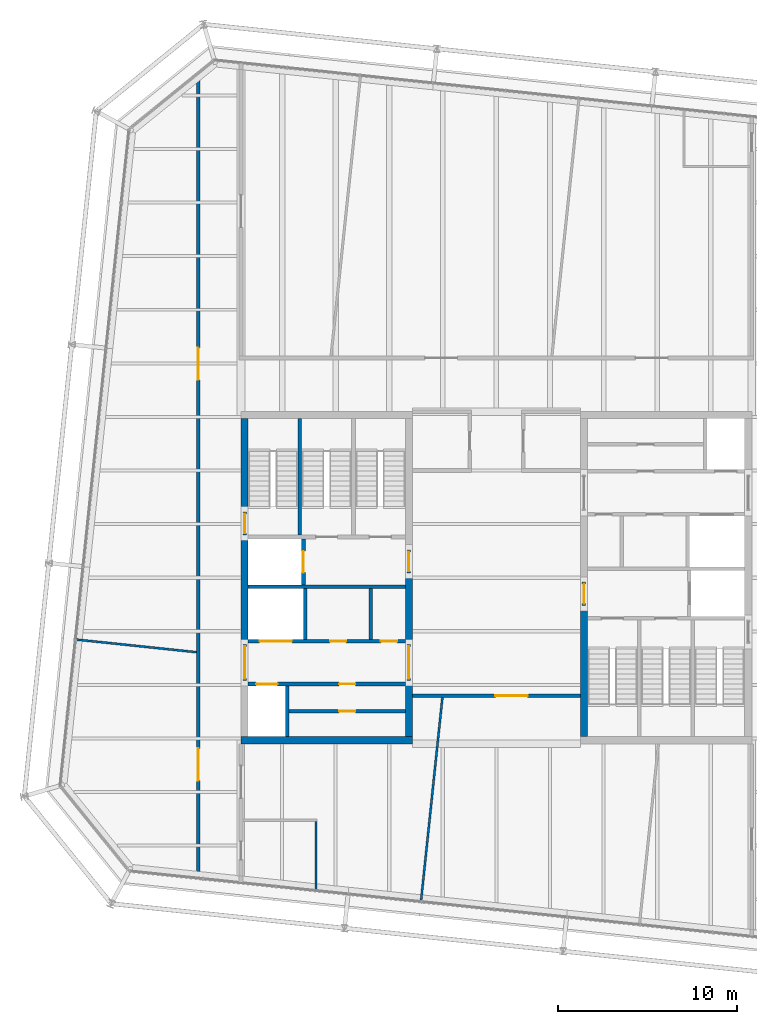
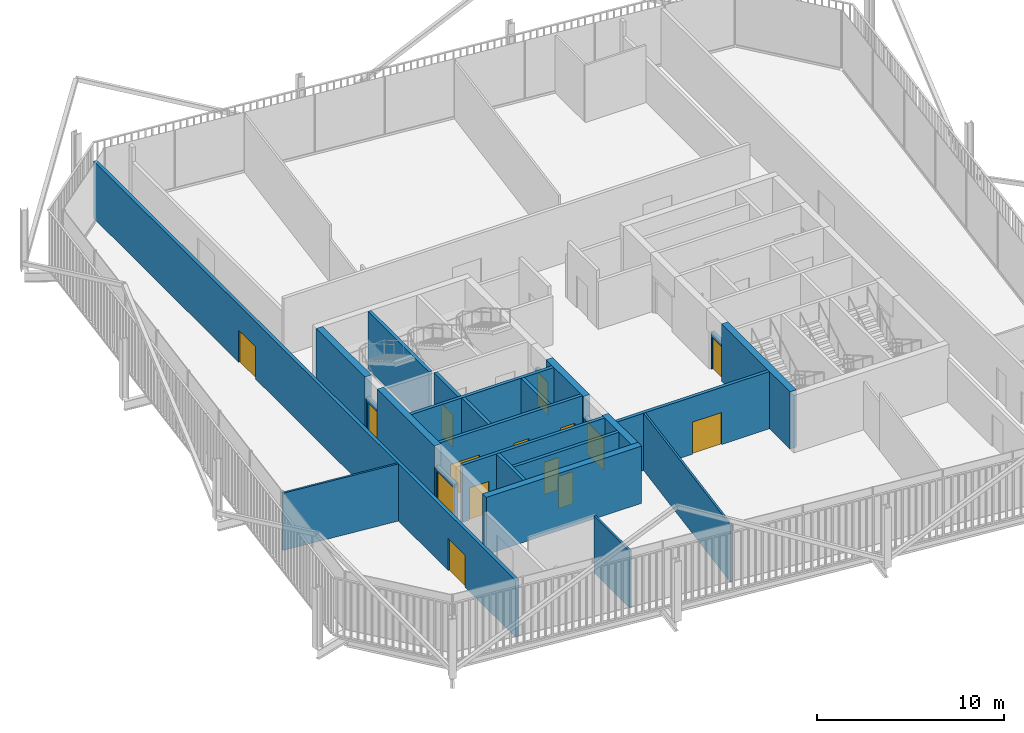
# One storey, part 17 of 21: 25 walls, 15 doors, 15 openings.
"""IFC4 building model written with IfcOpenShell, lengths in metres."""

from ifc_helpers import new_model, si_unit, direction, frame, frame_2d, origin, place, context, subcontext, project, spatial, rectangle, extrude, material, layer, layer_set, type_object, element, fill, save


model = new_model("IFC4")

# Units and contexts
model_context = context("Model", 3, precision=1e-05, world=origin(), true_north=direction((0.0, 1.0)))
body_context = subcontext(model_context, "Body", "Model", "MODEL_VIEW")
ifc_project = project(units=[si_unit("LENGTHUNIT", "METRE"), si_unit("AREAUNIT", "SQUARE_METRE"), si_unit("VOLUMEUNIT", "CUBIC_METRE"), si_unit("PLANEANGLEUNIT", "RADIAN"), si_unit("MASSUNIT", "GRAM", prefix="KILO")], contexts=[model_context])

# Site, building, storey
site_placement = place(None, origin())
site = spatial("IfcSite", under=ifc_project, at=site_placement, CompositionType="ELEMENT")
building_placement = place(site_placement, origin())
building = spatial("IfcBuilding", under=site, at=building_placement, Name="Millrace Tower", CompositionType="ELEMENT")
storey_placement = place(building_placement, frame((0.0, 0.0, 299.39990234375)))
storey = spatial("IfcBuildingStorey", under=building, at=storey_placement, Name="L69", CompositionType="ELEMENT", Elevation=299.39990234375)

# Walls
ifc_material_1 = material(Name="Concrete C60", Category="concrete")
ifc_layer_1 = layer(ifc_material_1, 0.39990234375)
ifc_layer_set_1 = layer_set([ifc_layer_1], Name="Concrete C60")
wall_type_1 = type_object("IfcWallType", Name="Core wall 400 Concrete C60", PredefinedType="SHEAR", material=ifc_layer_set_1)
wall_1_placement = place(storey_placement, frame((-14.300048828125, -9.10009765625, 0.0), z_axis=(0.0, 0.0, 1.0), x_axis=(1.0, 0.0, 0.0)))
element("IfcWall", 1, at=wall_1_placement, inside=storey, type_object=wall_type_1, Name="Core wall W L69", PredefinedType="SHEAR", context=body_context, shape_type="SweptSolid", body=[
    extrude(rectangle(XDim=9.60009765625, YDim=0.39990234375, at=frame_2d((4.800048828125, 0.0))), origin(), (0.0, 0.0, 1.0), 3.739990234375),
])
wall_2_placement = place(storey_placement, frame((-14.10009765625, -3.75, 0.0), z_axis=(0.0, 0.0, 1.0), x_axis=(0.0, 1.0, 0.0)))
element("IfcWall", 2, at=wall_2_placement, inside=storey, type_object=wall_type_1, Name="Core wall W L69", PredefinedType="SHEAR", context=body_context, shape_type="SweptSolid", body=[
    extrude(rectangle(XDim=6.1298828125, YDim=0.39990234375, at=frame_2d((3.06494140625, 0.0))), origin(), (0.0, 0.0, 1.0), 3.739990234375),
])
wall_3_placement = place(storey_placement, frame((-14.10009765625, 3.679931640625, 0.0), z_axis=(0.0, 0.0, 1.0), x_axis=(0.0, 1.0, 0.0)))
element("IfcWall", 3, at=wall_3_placement, inside=storey, type_object=wall_type_1, Name="Core wall W L69", PredefinedType="SHEAR", context=body_context, shape_type="SweptSolid", body=[
    extrude(rectangle(XDim=5.219970703125, YDim=0.39990234375, at=frame_2d((2.60986328125, 0.0))), origin(), (0.0, 0.0, 1.0), 3.739990234375),
])
wall_4_placement = place(storey_placement, frame((-4.89990234375, -8.89990234375, 0.0), z_axis=(0.0, 0.0, 1.0), x_axis=(0.0, 1.0, 0.0)))
element("IfcWall", 4, at=wall_4_placement, inside=storey, type_object=wall_type_1, Name="Core wall W L69", PredefinedType="SHEAR", context=body_context, shape_type="SweptSolid", body=[
    extrude(rectangle(XDim=3.14990234375, YDim=0.39990234375, at=frame_2d((1.574951171875, 0.0))), origin(), (0.0, 0.0, 1.0), 3.739990234375),
])
wall_5_placement = place(storey_placement, frame((-4.89990234375, -3.75, 0.0), z_axis=(0.0, 0.0, 1.0), x_axis=(0.0, 1.0, 0.0)))
element("IfcWall", 5, at=wall_5_placement, inside=storey, type_object=wall_type_1, Name="Core wall W L69", PredefinedType="SHEAR", context=body_context, shape_type="SweptSolid", body=[
    extrude(rectangle(XDim=4.0, YDim=0.39990234375, at=frame_2d((2.0, 0.0))), origin(), (0.0, 0.0, 1.0), 3.739990234375),
])
wall_6_placement = place(storey_placement, frame((4.89990234375, -1.550048828125, 0.0), z_axis=(0.0, 0.0, 1.0), x_axis=(0.0, -1.0, 0.0)))
element("IfcWall", 6, at=wall_6_placement, inside=storey, type_object=wall_type_1, Name="Core wall E L69", PredefinedType="SHEAR", context=body_context, shape_type="SweptSolid", body=[
    extrude(rectangle(XDim=7.349853515625, YDim=0.39990234375, at=frame_2d((3.6748046875, 0.0))), origin(), (0.0, 0.0, 1.0), 3.739990234375),
])

# Wall, opening, door
ifc_material_2 = material(Name="Masonry partition, fire-rated", Category="masonry")
ifc_layer_2 = layer(ifc_material_2, 0.199951171875)
ifc_layer_set_2 = layer_set([ifc_layer_2], Name="Masonry partition, fire-rated")
wall_type_2 = type_object("IfcWallType", Name="Corridor wall 200", PredefinedType="PARTITIONING", material=ifc_layer_set_2)
wall_7_placement = place(storey_placement, frame((-4.699951171875, -6.60009765625, 0.0), z_axis=(0.0, 0.0, 1.0), x_axis=(1.0, 0.0, 0.0)))
wall_7 = element("IfcWall", 7, at=wall_7_placement, inside=storey, type_object=wall_type_2, Name="Corridor wall L69", PredefinedType="PARTITIONING", context=body_context, shape_type="SweptSolid", body=[
    extrude(rectangle(XDim=9.39990234375, YDim=0.199951171875, at=frame_2d((4.699951171875, 0.0))), origin(), (0.0, 0.0, 1.0), 3.739990234375),
])
opening_1_placement = place(wall_7_placement, frame((4.64404296875, 0.0, 0.0)))
opening_1 = element("IfcOpeningElement", 8, at=opening_1_placement, cuts=wall_7, Name="Opening 69-P012", PredefinedType="OPENING", context=body_context, shape_type="SweptSolid", body=[
    extrude(rectangle(XDim=1.800048828125, YDim=2.10009765625, at=frame_2d((0.89990234375, 1.050048828125))), frame((0.0, 0.10986328125, 0.0), z_axis=(0.0, -1.0, 0.0), x_axis=(1.0, 0.0, 0.0)), (0.0, 0.0, 1.0), 0.219970703125),
])
ifc_material_3 = material(Name="Steel door set, fire-rated", Category="steel")
door_type_1 = type_object("IfcDoorType", Name="Corridor door 1800 x 2100", OperationType="DOUBLE_DOOR_SINGLE_SWING", PredefinedType="DOOR", material=ifc_material_3)
door_1_placement = place(opening_1_placement, frame((1.800048828125, 0.0, 0.0), z_axis=(0.0, 0.0, 1.0), x_axis=(-1.0, 0.0, 0.0)))
door_1 = element("IfcDoor", 9, at=door_1_placement, inside=storey, type_object=door_type_1, Name="Door 69-P012", OperationType="DOUBLE_DOOR_SINGLE_SWING", OverallHeight=2.10009765625, OverallWidth=1.800048828125, PredefinedType="DOOR", context=body_context, shape_type="SweptSolid", body=[
    extrude(rectangle(XDim=1.800048828125, YDim=2.10009765625, at=frame_2d((0.89990234375, 1.050048828125))), frame((0.0, 0.02490234375, 0.0), z_axis=(0.0, -1.0, 0.0), x_axis=(1.0, 0.0, 0.0)), (0.0, 0.0, 1.0), 0.050048828125),
])
fill(opening_1, door_1)

# Wall, openings, doors
wall_8_placement = place(storey_placement, frame((-16.699951171875, -16.779296875, 0.0), z_axis=(0.0, 0.0, 1.0), x_axis=(0.0, 1.0, 0.0)))
wall_8 = element("IfcWall", 10, at=wall_8_placement, inside=storey, type_object=wall_type_2, Name="Corridor wall L69", PredefinedType="PARTITIONING", context=body_context, shape_type="SweptSolid", body=[
    extrude(rectangle(XDim=45.16943359375, YDim=0.199951171875, at=frame_2d((22.584716796875, 0.0))), origin(), (0.0, 0.0, 1.0), 3.739990234375),
])
opening_2_placement = place(wall_8_placement, frame((5.4248046875, 0.0, 0.0)))
opening_2 = element("IfcOpeningElement", 11, at=opening_2_placement, cuts=wall_8, Name="Opening 69-P003", PredefinedType="OPENING", context=body_context, shape_type="SweptSolid", body=[
    extrude(rectangle(XDim=1.800048828125, YDim=2.10009765625, at=frame_2d((0.89990234375, 1.050048828125))), frame((0.0, 0.10986328125, 0.0), z_axis=(0.0, -1.0, 0.0), x_axis=(1.0, 0.0, 0.0)), (0.0, 0.0, 1.0), 0.219970703125),
])
opening_3_placement = place(wall_8_placement, frame((27.852294921875, 0.0, 0.0)))
opening_3 = element("IfcOpeningElement", 12, at=opening_3_placement, cuts=wall_8, Name="Opening 69-P004", PredefinedType="OPENING", context=body_context, shape_type="SweptSolid", body=[
    extrude(rectangle(XDim=1.800048828125, YDim=2.10009765625, at=frame_2d((0.89990234375, 1.050048828125))), frame((0.0, 0.10986328125, 0.0), z_axis=(0.0, -1.0, 0.0), x_axis=(1.0, 0.0, 0.0)), (0.0, 0.0, 1.0), 0.219970703125),
])
door_2_placement = place(opening_2_placement, origin())
door_2 = element("IfcDoor", 13, at=door_2_placement, inside=storey, type_object=door_type_1, Name="Door 69-P003", OperationType="DOUBLE_DOOR_SINGLE_SWING", OverallHeight=2.10009765625, OverallWidth=1.800048828125, PredefinedType="DOOR", context=body_context, shape_type="SweptSolid", body=[
    extrude(rectangle(XDim=1.800048828125, YDim=2.10009765625, at=frame_2d((0.89990234375, 1.050048828125))), frame((0.0, 0.02490234375, 0.0), z_axis=(0.0, -1.0, 0.0), x_axis=(1.0, 0.0, 0.0)), (0.0, 0.0, 1.0), 0.050048828125),
])
fill(opening_2, door_2)
door_3_placement = place(opening_3_placement, frame((1.800048828125, 0.0, 0.0), z_axis=(0.0, 0.0, 1.0), x_axis=(-1.0, 0.0, 0.0)))
door_3 = element("IfcDoor", 14, at=door_3_placement, inside=storey, type_object=door_type_1, Name="Door 69-P004", OperationType="DOUBLE_DOOR_SINGLE_SWING", OverallHeight=2.10009765625, OverallWidth=1.800048828125, PredefinedType="DOOR", context=body_context, shape_type="SweptSolid", body=[
    extrude(rectangle(XDim=1.800048828125, YDim=2.10009765625, at=frame_2d((0.89990234375, 1.050048828125))), frame((0.0, 0.02490234375, 0.0), z_axis=(0.0, -1.0, 0.0), x_axis=(1.0, 0.0, 0.0)), (0.0, 0.0, 1.0), 0.050048828125),
])
fill(opening_3, door_3)

ifc_material_4 = material(Name="Masonry partition, fire-rated", Category="masonry")
ifc_layer_3 = layer(ifc_material_4, 0.199951171875)
ifc_layer_set_3 = layer_set([ifc_layer_3], Name="Masonry partition, fire-rated")
wall_type_3 = type_object("IfcWallType", Name="Lift shaft wall 200", PredefinedType="PARTITIONING", material=ifc_layer_set_3)
wall_9_placement = place(storey_placement, frame((-13.89990234375, -5.949951171875, 0.0), z_axis=(0.0, 0.0, 1.0), x_axis=(1.0, 0.0, 0.0)))
wall_9 = element("IfcWall", 15, at=wall_9_placement, inside=storey, type_object=wall_type_3, Name="Lift shaft wall W L69", PredefinedType="PARTITIONING", context=body_context, shape_type="SweptSolid", body=[
    extrude(rectangle(XDim=8.7998046875, YDim=0.199951171875, at=frame_2d((4.39990234375, 0.0))), origin(), (0.0, 0.0, 1.0), 3.739990234375),
])
opening_4_placement = place(wall_9_placement, frame((0.449951171875, 0.0, 0.0)))
opening_4 = element("IfcOpeningElement", 16, at=opening_4_placement, cuts=wall_9, Name="Opening 69-LD01", PredefinedType="OPENING", context=body_context, shape_type="SweptSolid", body=[
    extrude(rectangle(XDim=1.199951171875, YDim=2.10009765625, at=frame_2d((0.60009765625, 1.050048828125))), frame((0.0, 0.10986328125, 0.0), z_axis=(0.0, -1.0, 0.0), x_axis=(1.0, 0.0, 0.0)), (0.0, 0.0, 1.0), 0.219970703125),
])
opening_5_placement = place(wall_9_placement, frame((5.10009765625, 0.0, 0.0)))
opening_5 = element("IfcOpeningElement", 17, at=opening_5_placement, cuts=wall_9, Name="Opening 69-C005", PredefinedType="OPENING", context=body_context, shape_type="SweptSolid", body=[
    extrude(rectangle(XDim=0.89990234375, YDim=2.10009765625, at=frame_2d((0.449951171875, 1.050048828125))), frame((0.0, 0.10986328125, 0.0), z_axis=(0.0, -1.0, 0.0), x_axis=(1.0, 0.0, 0.0)), (0.0, 0.0, 1.0), 0.219970703125),
])
ifc_material_5 = material(Name="Stainless steel, fire-rated", Category="steel")
door_type_2 = type_object("IfcDoorType", Name="Lift landing door 1200 x 2100", OperationType="DOUBLE_DOOR_SLIDING", PredefinedType="DOOR", material=ifc_material_5)
door_4_placement = place(opening_4_placement, origin())
door_4 = element("IfcDoor", 18, at=door_4_placement, inside=storey, type_object=door_type_2, Name="Lift landing door LF1 L69", OperationType="DOUBLE_DOOR_SLIDING", OverallHeight=2.10009765625, OverallWidth=1.199951171875, PredefinedType="DOOR", context=body_context, shape_type="SweptSolid", body=[
    extrude(rectangle(XDim=1.199951171875, YDim=2.10009765625, at=frame_2d((0.60009765625, 1.050048828125))), frame((0.0, 0.02490234375, 0.0), z_axis=(0.0, -1.0, 0.0), x_axis=(1.0, 0.0, 0.0)), (0.0, 0.0, 1.0), 0.050048828125),
])
fill(opening_4, door_4)
ifc_material_6 = material(Name="Steel door, fire-rated", Category="steel")
door_type_3 = type_object("IfcDoorType", Name="Service room door 900 x 2100", OperationType="SINGLE_SWING_LEFT", PredefinedType="DOOR", material=ifc_material_6)
door_5_placement = place(opening_5_placement, origin())
door_5 = element("IfcDoor", 19, at=door_5_placement, inside=storey, type_object=door_type_3, Name="Service room door 69-C005", OperationType="SINGLE_SWING_RIGHT", OverallHeight=2.10009765625, OverallWidth=0.89990234375, PredefinedType="DOOR", context=body_context, shape_type="SweptSolid", body=[
    extrude(rectangle(XDim=0.89990234375, YDim=2.10009765625, at=frame_2d((0.449951171875, 1.050048828125))), frame((0.0, 0.02490234375, 0.0), z_axis=(0.0, -1.0, 0.0), x_axis=(1.0, 0.0, 0.0)), (0.0, 0.0, 1.0), 0.050048828125),
])
fill(opening_5, door_5)

wall_10_placement = place(storey_placement, frame((-13.89990234375, -3.550048828125, 0.0), z_axis=(0.0, 0.0, 1.0), x_axis=(1.0, 0.0, 0.0)))
wall_10 = element("IfcWall", 20, at=wall_10_placement, inside=storey, type_object=wall_type_3, Name="Lift shaft wall W L69", PredefinedType="PARTITIONING", context=body_context, shape_type="SweptSolid", body=[
    extrude(rectangle(XDim=8.7998046875, YDim=0.199951171875, at=frame_2d((4.39990234375, 0.0))), origin(), (0.0, 0.0, 1.0), 3.739990234375),
])
opening_6_placement = place(wall_10_placement, frame((0.64990234375, 0.0, 0.0)))
opening_6 = element("IfcOpeningElement", 21, at=opening_6_placement, cuts=wall_10, Name="Opening 69-LD05", PredefinedType="OPENING", context=body_context, shape_type="SweptSolid", body=[
    extrude(rectangle(XDim=1.800048828125, YDim=2.10009765625, at=frame_2d((0.89990234375, 1.050048828125))), frame((0.0, 0.10986328125, 0.0), z_axis=(0.0, -1.0, 0.0), x_axis=(1.0, 0.0, 0.0)), (0.0, 0.0, 1.0), 0.219970703125),
])
opening_7_placement = place(wall_10_placement, frame((4.58740234375, 0.0, 0.0)))
opening_7 = element("IfcOpeningElement", 22, at=opening_7_placement, cuts=wall_10, Name="Opening 69-C007", PredefinedType="OPENING", context=body_context, shape_type="SweptSolid", body=[
    extrude(rectangle(XDim=0.89990234375, YDim=2.10009765625, at=frame_2d((0.449951171875, 1.050048828125))), frame((0.0, 0.10986328125, 0.0), z_axis=(0.0, -1.0, 0.0), x_axis=(1.0, 0.0, 0.0)), (0.0, 0.0, 1.0), 0.219970703125),
])
opening_8_placement = place(wall_10_placement, frame((7.4375, 0.0, 0.0)))
opening_8 = element("IfcOpeningElement", 23, at=opening_8_placement, cuts=wall_10, Name="Opening 69-C008", PredefinedType="OPENING", context=body_context, shape_type="SweptSolid", body=[
    extrude(rectangle(XDim=0.89990234375, YDim=2.10009765625, at=frame_2d((0.449951171875, 1.050048828125))), frame((0.0, 0.10986328125, 0.0), z_axis=(0.0, -1.0, 0.0), x_axis=(1.0, 0.0, 0.0)), (0.0, 0.0, 1.0), 0.219970703125),
])
ifc_material_7 = material(Name="Stainless steel, fire-rated", Category="steel")
door_type_4 = type_object("IfcDoorType", Name="Lift landing door 1800 x 2100", OperationType="DOUBLE_DOOR_SLIDING", PredefinedType="DOOR", material=ifc_material_7)
door_6_placement = place(opening_6_placement, origin())
door_6 = element("IfcDoor", 24, at=door_6_placement, inside=storey, type_object=door_type_4, Name="Lift landing door LF5 L69", OperationType="DOUBLE_DOOR_SLIDING", OverallHeight=2.10009765625, OverallWidth=1.800048828125, PredefinedType="DOOR", context=body_context, shape_type="SweptSolid", body=[
    extrude(rectangle(XDim=1.800048828125, YDim=2.10009765625, at=frame_2d((0.89990234375, 1.050048828125))), frame((0.0, 0.02490234375, 0.0), z_axis=(0.0, -1.0, 0.0), x_axis=(1.0, 0.0, 0.0)), (0.0, 0.0, 1.0), 0.050048828125),
])
fill(opening_6, door_6)
door_7_placement = place(opening_7_placement, origin())
door_7 = element("IfcDoor", 25, at=door_7_placement, inside=storey, type_object=door_type_3, Name="Service room door 69-C007", OperationType="SINGLE_SWING_RIGHT", OverallHeight=2.10009765625, OverallWidth=0.89990234375, PredefinedType="DOOR", context=body_context, shape_type="SweptSolid", body=[
    extrude(rectangle(XDim=0.89990234375, YDim=2.10009765625, at=frame_2d((0.449951171875, 1.050048828125))), frame((0.0, 0.02490234375, 0.0), z_axis=(0.0, -1.0, 0.0), x_axis=(1.0, 0.0, 0.0)), (0.0, 0.0, 1.0), 0.050048828125),
])
fill(opening_7, door_7)
door_8_placement = place(opening_8_placement, origin())
door_8 = element("IfcDoor", 26, at=door_8_placement, inside=storey, type_object=door_type_3, Name="Service room door 69-C008", OperationType="SINGLE_SWING_RIGHT", OverallHeight=2.10009765625, OverallWidth=0.89990234375, PredefinedType="DOOR", context=body_context, shape_type="SweptSolid", body=[
    extrude(rectangle(XDim=0.89990234375, YDim=2.10009765625, at=frame_2d((0.449951171875, 1.050048828125))), frame((0.0, 0.02490234375, 0.0), z_axis=(0.0, -1.0, 0.0), x_axis=(1.0, 0.0, 0.0)), (0.0, 0.0, 1.0), 0.050048828125),
])
fill(opening_8, door_8)

# Wall
wall_11_placement = place(storey_placement, frame((-13.89990234375, -0.5, 0.0), z_axis=(0.0, 0.0, 1.0), x_axis=(1.0, 0.0, 0.0)))
element("IfcWall", 27, at=wall_11_placement, inside=storey, type_object=wall_type_3, Name="Lift shaft wall W L69", PredefinedType="PARTITIONING", context=body_context, shape_type="SweptSolid", body=[
    extrude(rectangle(XDim=8.7998046875, YDim=0.199951171875, at=frame_2d((4.39990234375, 0.0))), origin(), (0.0, 0.0, 1.0), 3.739990234375),
])

# Wall, opening, door
wall_12_placement = place(storey_placement, frame((-10.800048828125, -0.39990234375, 0.0), z_axis=(0.0, 0.0, 1.0), x_axis=(0.0, 1.0, 0.0)))
wall_12 = element("IfcWall", 28, at=wall_12_placement, inside=storey, type_object=wall_type_3, Name="Lift shaft wall W L69", PredefinedType="PARTITIONING", context=body_context, shape_type="SweptSolid", body=[
    extrude(rectangle(XDim=2.579833984375, YDim=0.199951171875, at=frame_2d((1.2900390625, 0.0))), origin(), (0.0, 0.0, 1.0), 3.739990234375),
])
opening_9_placement = place(wall_12_placement, frame((0.68994140625, 0.0, 0.0)))
opening_9 = element("IfcOpeningElement", 29, at=opening_9_placement, cuts=wall_12, Name="Opening 69-LD08", PredefinedType="OPENING", context=body_context, shape_type="SweptSolid", body=[
    extrude(rectangle(XDim=1.199951171875, YDim=2.10009765625, at=frame_2d((0.60009765625, 1.050048828125))), frame((0.0, 0.10986328125, 0.0), z_axis=(0.0, -1.0, 0.0), x_axis=(1.0, 0.0, 0.0)), (0.0, 0.0, 1.0), 0.219970703125),
])
door_9_placement = place(opening_9_placement, origin())
door_9 = element("IfcDoor", 30, at=door_9_placement, inside=storey, type_object=door_type_2, Name="Lift landing door LF8 L69", OperationType="DOUBLE_DOOR_SLIDING", OverallHeight=2.10009765625, OverallWidth=1.199951171875, PredefinedType="DOOR", context=body_context, shape_type="SweptSolid", body=[
    extrude(rectangle(XDim=1.199951171875, YDim=2.10009765625, at=frame_2d((0.60009765625, 1.050048828125))), frame((0.0, 0.02490234375, 0.0), z_axis=(0.0, -1.0, 0.0), x_axis=(1.0, 0.0, 0.0)), (0.0, 0.0, 1.0), 0.050048828125),
])
fill(opening_9, door_9)

# Walls
for number, where, z_axis, x_axis, name in (
    (31, (-11.699951171875, -8.89990234375, 0.0), (0.0, 0.0, 1.0), (0.0, 1.0, 0.0), "Lift shaft wall W L69"),
    (32, (-10.699951171875, -3.449951171875, 0.0), (0.0, 0.0, 1.0), (0.0, 1.0, 0.0), "Lift shaft wall W L69"),
):
    element("IfcWall", number, at=place(storey_placement, frame(where, z_axis=z_axis, x_axis=x_axis)), inside=storey, type_object=wall_type_3, Name=name, PredefinedType="PARTITIONING", context=body_context, shape_type="SweptSolid", body=[
        extrude(rectangle(XDim=2.849853515625, YDim=0.199951171875, at=frame_2d((1.4248046875, 0.0))), origin(), (0.0, 0.0, 1.0), 3.739990234375),
    ])

# Wall, opening, door
ifc_material_8 = material(Name="Masonry partition, fire-rated", Category="masonry")
ifc_layer_4 = layer(ifc_material_8, 0.199951171875)
ifc_layer_set_4 = layer_set([ifc_layer_4], Name="Masonry partition, fire-rated")
wall_type_4 = type_object("IfcWallType", Name="Lobby wall 200", PredefinedType="PARTITIONING", material=ifc_layer_set_4)
wall_13_placement = place(storey_placement, frame((-14.10009765625, -5.75, 0.0), z_axis=(0.0, 0.0, 1.0), x_axis=(0.0, 1.0, 0.0)))
wall_13 = element("IfcWall", 33, at=wall_13_placement, inside=storey, type_object=wall_type_4, Name="Lobby wall W L69", PredefinedType="PARTITIONING", context=body_context, shape_type="SweptSolid", body=[
    extrude(rectangle(XDim=2.0, YDim=0.199951171875, at=frame_2d((1.0, 0.0))), origin(), (0.0, 0.0, 1.0), 2.400146484375),
])
opening_10_placement = place(wall_13_placement, frame((0.10009765625, 0.0, 0.0)))
opening_10 = element("IfcOpeningElement", 34, at=opening_10_placement, cuts=wall_13, Name="Opening 69-C001", PredefinedType="OPENING", context=body_context, shape_type="SweptSolid", body=[
    extrude(rectangle(XDim=1.800048828125, YDim=2.10009765625, at=frame_2d((0.89990234375, 1.050048828125))), frame((0.0, 0.10986328125, 0.0), z_axis=(0.0, -1.0, 0.0), x_axis=(1.0, 0.0, 0.0)), (0.0, 0.0, 1.0), 0.219970703125),
])
ifc_material_9 = material(Name="Steel door, fire-rated", Category="steel")
door_type_5 = type_object("IfcDoorType", Name="Lobby door 1800 x 2100", OperationType="DOUBLE_DOOR_SINGLE_SWING", PredefinedType="DOOR", material=ifc_material_9)
door_10_placement = place(opening_10_placement, origin())
door_10 = element("IfcDoor", 35, at=door_10_placement, inside=storey, type_object=door_type_5, Name="Lobby door 69-C001", OperationType="DOUBLE_DOOR_SINGLE_SWING", OverallHeight=2.10009765625, OverallWidth=1.800048828125, PredefinedType="DOOR", context=body_context, shape_type="SweptSolid", body=[
    extrude(rectangle(XDim=1.800048828125, YDim=2.10009765625, at=frame_2d((0.89990234375, 1.050048828125))), frame((0.0, 0.02490234375, 0.0), z_axis=(0.0, -1.0, 0.0), x_axis=(1.0, 0.0, 0.0)), (0.0, 0.0, 1.0), 0.050048828125),
])
fill(opening_10, door_10)

wall_14_placement = place(storey_placement, frame((-4.89990234375, -5.75, 0.0), z_axis=(0.0, 0.0, 1.0), x_axis=(0.0, 1.0, 0.0)))
wall_14 = element("IfcWall", 36, at=wall_14_placement, inside=storey, type_object=wall_type_4, Name="Lobby wall W L69", PredefinedType="PARTITIONING", context=body_context, shape_type="SweptSolid", body=[
    extrude(rectangle(XDim=2.0, YDim=0.199951171875, at=frame_2d((1.0, 0.0))), origin(), (0.0, 0.0, 1.0), 2.400146484375),
])
opening_11_placement = place(wall_14_placement, frame((0.10009765625, 0.0, 0.0)))
opening_11 = element("IfcOpeningElement", 37, at=opening_11_placement, cuts=wall_14, Name="Opening 69-C003", PredefinedType="OPENING", context=body_context, shape_type="SweptSolid", body=[
    extrude(rectangle(XDim=1.800048828125, YDim=2.10009765625, at=frame_2d((0.89990234375, 1.050048828125))), frame((0.0, 0.10986328125, 0.0), z_axis=(0.0, -1.0, 0.0), x_axis=(1.0, 0.0, 0.0)), (0.0, 0.0, 1.0), 0.219970703125),
])
door_11_placement = place(opening_11_placement, frame((1.800048828125, 0.0, 0.0), z_axis=(0.0, 0.0, 1.0), x_axis=(-1.0, 0.0, 0.0)))
door_11 = element("IfcDoor", 38, at=door_11_placement, inside=storey, type_object=door_type_5, Name="Lobby door 69-C003", OperationType="DOUBLE_DOOR_SINGLE_SWING", OverallHeight=2.10009765625, OverallWidth=1.800048828125, PredefinedType="DOOR", context=body_context, shape_type="SweptSolid", body=[
    extrude(rectangle(XDim=1.800048828125, YDim=2.10009765625, at=frame_2d((0.89990234375, 1.050048828125))), frame((0.0, 0.02490234375, 0.0), z_axis=(0.0, -1.0, 0.0), x_axis=(1.0, 0.0, 0.0)), (0.0, 0.0, 1.0), 0.050048828125),
])
fill(opening_11, door_11)

wall_15_placement = place(storey_placement, frame((-4.89990234375, 0.25, 0.0), z_axis=(0.0, 0.0, 1.0), x_axis=(0.0, 1.0, 0.0)))
wall_15 = element("IfcWall", 39, at=wall_15_placement, inside=storey, type_object=wall_type_4, Name="Lobby wall W L69", PredefinedType="PARTITIONING", context=body_context, shape_type="SweptSolid", body=[
    extrude(rectangle(XDim=1.300048828125, YDim=0.199951171875, at=frame_2d((0.64990234375, 0.0))), origin(), (0.0, 0.0, 1.0), 2.400146484375),
])
opening_12_placement = place(wall_15_placement, frame((0.10009765625, 0.0, 0.0)))
opening_12 = element("IfcOpeningElement", 40, at=opening_12_placement, cuts=wall_15, Name="Opening 69-C004", PredefinedType="OPENING", context=body_context, shape_type="SweptSolid", body=[
    extrude(rectangle(XDim=1.10009765625, YDim=2.10009765625, at=frame_2d((0.550048828125, 1.050048828125))), frame((0.0, 0.10986328125, 0.0), z_axis=(0.0, -1.0, 0.0), x_axis=(1.0, 0.0, 0.0)), (0.0, 0.0, 1.0), 0.219970703125),
])
ifc_material_10 = material(Name="Steel door, fire-rated", Category="steel")
door_type_6 = type_object("IfcDoorType", Name="Lobby door 1100 x 2100", OperationType="SINGLE_SWING_LEFT", PredefinedType="DOOR", material=ifc_material_10)
door_12_placement = place(opening_12_placement, frame((1.10009765625, 0.0, 0.0), z_axis=(0.0, 0.0, 1.0), x_axis=(-1.0, 0.0, 0.0)))
door_12 = element("IfcDoor", 41, at=door_12_placement, inside=storey, type_object=door_type_6, Name="Lobby door 69-C004", OperationType="SINGLE_SWING_LEFT", OverallHeight=2.10009765625, OverallWidth=1.10009765625, PredefinedType="DOOR", context=body_context, shape_type="SweptSolid", body=[
    extrude(rectangle(XDim=1.10009765625, YDim=2.10009765625, at=frame_2d((0.550048828125, 1.050048828125))), frame((0.0, 0.02490234375, 0.0), z_axis=(0.0, -1.0, 0.0), x_axis=(1.0, 0.0, 0.0)), (0.0, 0.0, 1.0), 0.050048828125),
])
fill(opening_12, door_12)

wall_16_placement = place(storey_placement, frame((4.89990234375, -0.25, 0.0), z_axis=(0.0, 0.0, 1.0), x_axis=(0.0, -1.0, 0.0)))
wall_16 = element("IfcWall", 42, at=wall_16_placement, inside=storey, type_object=wall_type_4, Name="Lobby wall E L69", PredefinedType="PARTITIONING", context=body_context, shape_type="SweptSolid", body=[
    extrude(rectangle(XDim=1.300048828125, YDim=0.199951171875, at=frame_2d((0.64990234375, 0.0))), origin(), (0.0, 0.0, 1.0), 2.400146484375),
])
opening_13_placement = place(wall_16_placement, frame((0.10009765625, 0.0, 0.0)))
opening_13 = element("IfcOpeningElement", 43, at=opening_13_placement, cuts=wall_16, Name="Opening 69-C014", PredefinedType="OPENING", context=body_context, shape_type="SweptSolid", body=[
    extrude(rectangle(XDim=1.10009765625, YDim=2.10009765625, at=frame_2d((0.550048828125, 1.050048828125))), frame((0.0, 0.10986328125, 0.0), z_axis=(0.0, -1.0, 0.0), x_axis=(1.0, 0.0, 0.0)), (0.0, 0.0, 1.0), 0.219970703125),
])
door_13_placement = place(opening_13_placement, frame((1.10009765625, 0.0, 0.0), z_axis=(0.0, 0.0, 1.0), x_axis=(-1.0, 0.0, 0.0)))
door_13 = element("IfcDoor", 44, at=door_13_placement, inside=storey, type_object=door_type_6, Name="Lobby door 69-C014", OperationType="SINGLE_SWING_RIGHT", OverallHeight=2.10009765625, OverallWidth=1.10009765625, PredefinedType="DOOR", context=body_context, shape_type="SweptSolid", body=[
    extrude(rectangle(XDim=1.10009765625, YDim=2.10009765625, at=frame_2d((0.550048828125, 1.050048828125))), frame((0.0, 0.02490234375, 0.0), z_axis=(0.0, -1.0, 0.0), x_axis=(1.0, 0.0, 0.0)), (0.0, 0.0, 1.0), 0.050048828125),
])
fill(opening_13, door_13)

# Walls
ifc_material_11 = material(Name="Gypsum board partition")
ifc_layer_5 = layer(ifc_material_11, 0.1201171875)
ifc_layer_set_5 = layer_set([ifc_layer_5], Name="Gypsum board partition")
wall_type_5 = type_object("IfcWallType", Name="Partition wall 120", PredefinedType="PARTITIONING", material=ifc_layer_set_5)
wall_17_placement = place(storey_placement, frame((-23.526611328125, -3.462890625, 0.0), z_axis=(0.0, 0.0, 1.0), x_axis=(0.994529554987, -0.104455561157, 0.0)))
element("IfcWall", 45, at=wall_17_placement, inside=storey, type_object=wall_type_5, Name="Partition wall L69", PredefinedType="PARTITIONING", context=body_context, shape_type="SweptSolid", body=[
    extrude(rectangle(XDim=6.76416015625, YDim=0.1201171875, at=frame_2d((3.382080078125, 0.0))), origin(), (0.0, 0.0, 1.0), 3.739990234375),
])
wall_18_placement = place(storey_placement, frame((-4.22021484375, -18.0908203125, 0.0), z_axis=(0.0, 0.0, 1.0), x_axis=(0.104569393031, 0.994517592625, 0.0)))
element("IfcWall", 46, at=wall_18_placement, inside=storey, type_object=wall_type_5, Name="Partition wall L69", PredefinedType="PARTITIONING", context=body_context, shape_type="SweptSolid", body=[
    extrude(rectangle(XDim=11.4541015625, YDim=0.1201171875, at=frame_2d((5.72705078125, 0.0))), origin(), (0.0, 0.0, 1.0), 3.739990234375),
])
wall_19_placement = place(storey_placement, frame((-10.10009765625, -17.472900390625, 0.0), z_axis=(0.0, 0.0, 1.0), x_axis=(0.0, 1.0, 0.0)))
element("IfcWall", 47, at=wall_19_placement, inside=storey, type_object=wall_type_5, Name="Partition wall L69", PredefinedType="PARTITIONING", context=body_context, shape_type="SweptSolid", body=[
    extrude(rectangle(XDim=3.831787109375, YDim=0.1201171875, at=frame_2d((1.916015625, 0.0))), origin(), (0.0, 0.0, 1.0), 3.739990234375),
])

# Wall, opening, door
ifc_material_12 = material(Name="Masonry partition, fire-rated", Category="masonry")
ifc_layer_6 = layer(ifc_material_12, 0.199951171875)
ifc_layer_set_6 = layer_set([ifc_layer_6], Name="Masonry partition, fire-rated")
wall_type_6 = type_object("IfcWallType", Name="Room partition 200", PredefinedType="PARTITIONING", material=ifc_layer_set_6)
wall_20_placement = place(storey_placement, frame((-11.60009765625, -7.47509765625, 0.0), z_axis=(0.0, 0.0, 1.0), x_axis=(1.0, 0.0, 0.0)))
wall_20 = element("IfcWall", 48, at=wall_20_placement, inside=storey, type_object=wall_type_6, Name="Room partition W L69", PredefinedType="PARTITIONING", context=body_context, shape_type="SweptSolid", body=[
    extrude(rectangle(XDim=6.5, YDim=0.199951171875, at=frame_2d((3.25, 0.0))), origin(), (0.0, 0.0, 1.0), 3.739990234375),
])
opening_14_placement = place(wall_20_placement, frame((2.800048828125, 0.0, 0.0)))
opening_14 = element("IfcOpeningElement", 49, at=opening_14_placement, cuts=wall_20, Name="Opening 69-C006", PredefinedType="OPENING", context=body_context, shape_type="SweptSolid", body=[
    extrude(rectangle(XDim=0.89990234375, YDim=2.10009765625, at=frame_2d((0.449951171875, 1.050048828125))), frame((0.0, 0.10986328125, 0.0), z_axis=(0.0, -1.0, 0.0), x_axis=(1.0, 0.0, 0.0)), (0.0, 0.0, 1.0), 0.219970703125),
])
door_14_placement = place(opening_14_placement, frame((0.89990234375, 0.0, 0.0), z_axis=(0.0, 0.0, 1.0), x_axis=(-1.0, 0.0, 0.0)))
door_14 = element("IfcDoor", 50, at=door_14_placement, inside=storey, type_object=door_type_3, Name="Service room door 69-C006", OperationType="SINGLE_SWING_RIGHT", OverallHeight=2.10009765625, OverallWidth=0.89990234375, PredefinedType="DOOR", context=body_context, shape_type="SweptSolid", body=[
    extrude(rectangle(XDim=0.89990234375, YDim=2.10009765625, at=frame_2d((0.449951171875, 1.050048828125))), frame((0.0, 0.02490234375, 0.0), z_axis=(0.0, -1.0, 0.0), x_axis=(1.0, 0.0, 0.0)), (0.0, 0.0, 1.0), 0.050048828125),
])
fill(opening_14, door_14)

# Wall
wall_21_placement = place(storey_placement, frame((-7.02490234375, -3.449951171875, 0.0), z_axis=(0.0, 0.0, 1.0), x_axis=(0.0, 1.0, 0.0)))
element("IfcWall", 51, at=wall_21_placement, inside=storey, type_object=wall_type_6, Name="Room partition W L69", PredefinedType="PARTITIONING", context=body_context, shape_type="SweptSolid", body=[
    extrude(rectangle(XDim=2.849853515625, YDim=0.199951171875, at=frame_2d((1.4248046875, 0.0))), origin(), (0.0, 0.0, 1.0), 3.739990234375),
])

# Wall, opening, door
ifc_material_13 = material(Name="Concrete C40", Category="concrete")
ifc_layer_7 = layer(ifc_material_13, 0.199951171875)
ifc_layer_set_7 = layer_set([ifc_layer_7], Name="Concrete C40")
wall_type_7 = type_object("IfcWallType", Name="Stair enclosure wall 200 Concrete C40", PredefinedType="SHEAR", material=ifc_layer_set_7)
wall_22_placement = place(storey_placement, frame((-14.10009765625, 2.3798828125, 0.0), z_axis=(0.0, 0.0, 1.0), x_axis=(0.0, 1.0, 0.0)))
wall_22 = element("IfcWall", 52, at=wall_22_placement, inside=storey, type_object=wall_type_7, Name="Stair enclosure wall W L69", PredefinedType="SHEAR", context=body_context, shape_type="SweptSolid", body=[
    extrude(rectangle(XDim=1.300048828125, YDim=0.199951171875, at=frame_2d((0.64990234375, 0.0))), origin(), (0.0, 0.0, 1.0), 2.400146484375),
])
opening_15_placement = place(wall_22_placement, frame((0.10009765625, 0.0, 0.0)))
opening_15 = element("IfcOpeningElement", 53, at=opening_15_placement, cuts=wall_22, Name="Opening 69-C002", PredefinedType="OPENING", context=body_context, shape_type="SweptSolid", body=[
    extrude(rectangle(XDim=1.10009765625, YDim=2.10009765625, at=frame_2d((0.550048828125, 1.050048828125))), frame((0.0, 0.10986328125, 0.0), z_axis=(0.0, -1.0, 0.0), x_axis=(1.0, 0.0, 0.0)), (0.0, 0.0, 1.0), 0.219970703125),
])
ifc_material_14 = material(Name="Steel door, fire-rated", Category="steel")
door_type_7 = type_object("IfcDoorType", Name="Stair door 1100 x 2100", OperationType="SINGLE_SWING_LEFT", PredefinedType="DOOR", material=ifc_material_14)
door_15_placement = place(opening_15_placement, origin())
door_15 = element("IfcDoor", 54, at=door_15_placement, inside=storey, type_object=door_type_7, Name="Stair door 69-C002", OperationType="SINGLE_SWING_LEFT", OverallHeight=2.10009765625, OverallWidth=1.10009765625, PredefinedType="DOOR", context=body_context, shape_type="SweptSolid", body=[
    extrude(rectangle(XDim=1.10009765625, YDim=2.10009765625, at=frame_2d((0.550048828125, 1.050048828125))), frame((0.0, 0.02490234375, 0.0), z_axis=(0.0, -1.0, 0.0), x_axis=(1.0, 0.0, 0.0)), (0.0, 0.0, 1.0), 0.050048828125),
])
fill(opening_15, door_15)

# Wall
wall_23_placement = place(storey_placement, frame((-11.0, 2.3798828125, 0.0), z_axis=(0.0, 0.0, 1.0), x_axis=(0.0, 1.0, 0.0)))
element("IfcWall", 55, at=wall_23_placement, inside=storey, type_object=wall_type_7, Name="Stair enclosure wall W L69", PredefinedType="SHEAR", context=body_context, shape_type="SweptSolid", body=[
    extrude(rectangle(XDim=6.52001953125, YDim=0.199951171875, at=frame_2d((3.260009765625, 0.0))), origin(), (0.0, 0.0, 1.0), 3.739990234375),
])

save(model, "model.ifc")
